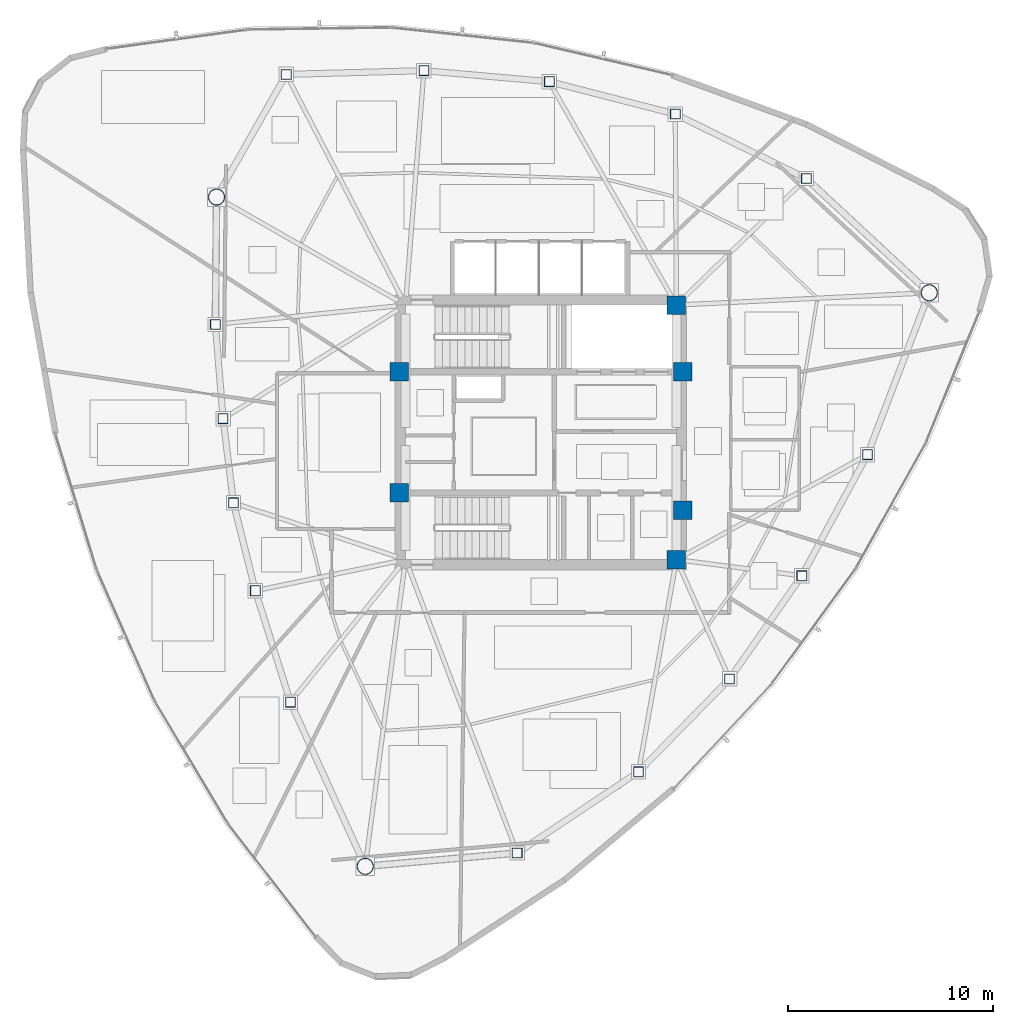
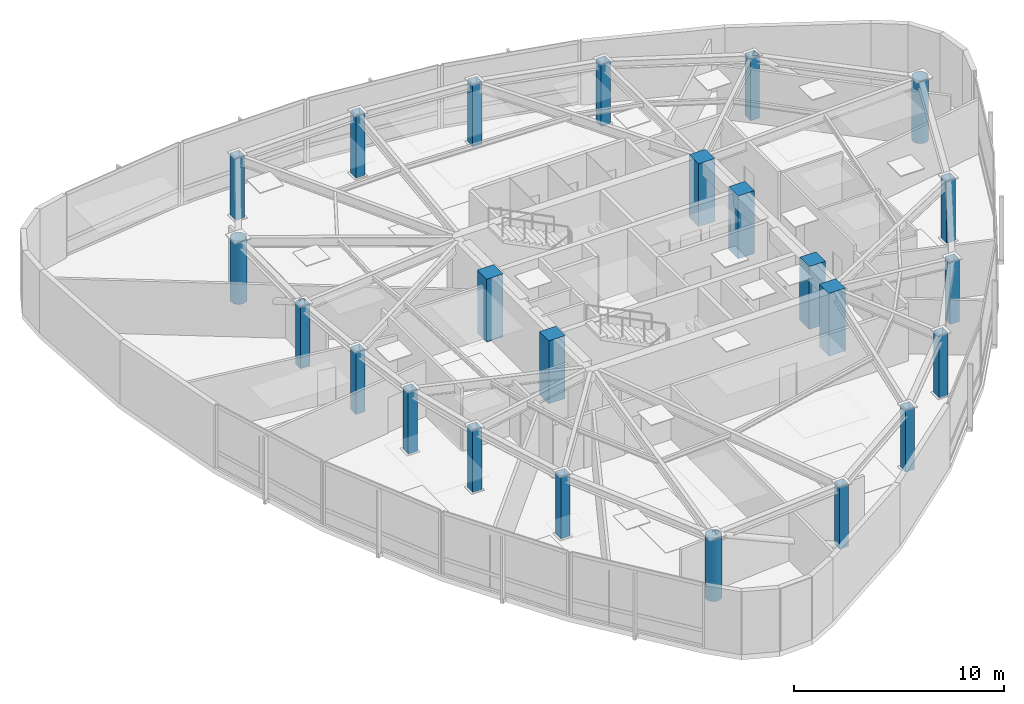
# One storey, part 1 of 14: 24 columns.
"""IFC4 building model written with IfcOpenShell, lengths in metres."""

from ifc_helpers import new_model, si_unit, direction, frame, origin, origin_2d, place, context, subcontext, project, spatial, rectangle, hollow_rectangle, hollow_circle, extrude, material, material_profile, profile_set, type_object, element, save


model = new_model("IFC4")

# Units and contexts
model_context = context("Model", 3, precision=1e-05, world=origin(), true_north=direction((0.0, 1.0)))
body_context = subcontext(model_context, "Body", "Model", "MODEL_VIEW")
ifc_project = project(units=[si_unit("LENGTHUNIT", "METRE"), si_unit("AREAUNIT", "SQUARE_METRE"), si_unit("VOLUMEUNIT", "CUBIC_METRE"), si_unit("PLANEANGLEUNIT", "RADIAN"), si_unit("MASSUNIT", "GRAM", prefix="KILO")], contexts=[model_context])

# Site, building, storey
site_placement = place(None, origin())
site = spatial("IfcSite", under=ifc_project, at=site_placement, CompositionType="ELEMENT")
building_placement = place(site_placement, origin())
building = spatial("IfcBuilding", under=site, at=building_placement, Name="Tavelor Broadcast Tower", CompositionType="ELEMENT")
storey_placement = place(building_placement, frame((0.0, 0.0, 253.75)))
storey = spatial("IfcBuildingStorey", under=building, at=storey_placement, Name="L60", CompositionType="ELEMENT", Elevation=253.75)

# Columns
ifc_material_1 = material(Name="Concrete C50/60", Category="concrete")
ifc_material_profile_1 = material_profile(ifc_material_1, rectangle(XDim=0.89990234375, YDim=0.89990234375, at=origin_2d()), Name="RC 900x900")
ifc_profile_set_1 = profile_set([ifc_material_profile_1], Name="Concrete C50/60")
column_type_1 = type_object("IfcColumnType", Name="Core Embedded Composite Column RC900", PredefinedType="COLUMN", material=ifc_profile_set_1)
for number, where, z_axis, x_axis, name in (
    (1, (43.10009765625, 47.949951171875, 0.0), (0.0, 0.0, 1.0), (1.0, 0.0, 0.0), "L60 Core Embedded Column 1"),
    (2, (56.89990234375, 47.949951171875, 0.0), (0.0, 0.0, 1.0), (1.0, 0.0, 0.0), "L60 Core Embedded Column 2"),
    (3, (56.60009765625, 51.199951171875, 0.0), (0.0, 0.0, 1.0), (1.0, 0.0, 0.0), "L60 Core Embedded Column 3"),
    (4, (43.10009765625, 42.050048828125, 0.0), (0.0, 0.0, 1.0), (1.0, 0.0, 0.0), "L60 Core Embedded Column 4"),
    (5, (56.89990234375, 41.199951171875, 0.0), (0.0, 0.0, 1.0), (1.0, 0.0, 0.0), "L60 Core Embedded Column 5"),
    (6, (56.60009765625, 38.800048828125, 0.0), (0.0, 0.0, 1.0), (1.0, 0.0, 0.0), "L60 Core Embedded Column 6"),
):
    element("IfcColumn", number, at=place(storey_placement, frame(where, z_axis=z_axis, x_axis=x_axis)), inside=storey, type_object=column_type_1, Name=name, PredefinedType="COLUMN", context=body_context, shape_type="SweptSolid", body=[
        extrude(rectangle(XDim=0.89990234375, YDim=0.89990234375, at=origin_2d()), origin(), (0.0, 0.0, 1.0), 3.64990234375),
    ])
ifc_material_2 = material(Name="Steel S460", Category="steel")
ifc_material_profile_2 = material_profile(ifc_material_2, hollow_rectangle(XDim=0.5, YDim=0.5, WallThickness=0.030029296875, at=origin_2d()), Name="SHS 500x500x30")
ifc_profile_set_2 = profile_set([ifc_material_profile_2], Name="Steel S460")
column_type_2 = type_object("IfcColumnType", Name="Perimeter Tube Column T6 SHS 500x500x30", PredefinedType="COLUMN", material=ifc_profile_set_2)
for number, where, z_axis, x_axis, name in (
    (7, (34.13720703125, 50.255859375, 0.0), (0.0, 0.0, 1.0), (1.0, 0.0, 0.0), "L60 Perimeter Framed-Tube Column 02"),
    (8, (34.513671875, 45.66455078125, 0.0), (0.0, 0.0, 1.0), (1.0, 0.0, 0.0), "L60 Perimeter Framed-Tube Column 03"),
    (9, (35.018798828125, 41.56396484375, 0.0), (0.0, 0.0, 1.0), (1.0, 0.0, 0.0), "L60 Perimeter Framed-Tube Column 04"),
    (10, (36.08349609375, 37.2822265625, 0.0), (0.0, 0.0, 1.0), (1.0, 0.0, 0.0), "L60 Perimeter Framed-Tube Column 05"),
    (11, (37.797119140625, 31.853271484375, 0.0), (0.0, 0.0, 1.0), (1.0, 0.0, 0.0), "L60 Perimeter Framed-Tube Column 06"),
    (12, (48.843994140625, 24.5048828125, 0.0), (0.0, 0.0, 1.0), (1.0, 0.0, 0.0), "L60 Perimeter Framed-Tube Column 08"),
    (13, (54.754150390625, 28.461669921875, 0.0), (0.0, 0.0, 1.0), (1.0, 0.0, 0.0), "L60 Perimeter Framed-Tube Column 09"),
    (14, (59.1923828125, 32.987060546875, 0.0), (0.0, 0.0, 1.0), (1.0, 0.0, 0.0), "L60 Perimeter Framed-Tube Column 10"),
    (15, (62.7109375, 38.009033203125, 0.0), (0.0, 0.0, 1.0), (1.0, 0.0, 0.0), "L60 Perimeter Framed-Tube Column 11"),
    (16, (65.9072265625, 43.909423828125, 0.0), (0.0, 0.0, 1.0), (1.0, 0.0, 0.0), "L60 Perimeter Framed-Tube Column 12"),
    (17, (62.92724609375, 57.364013671875, 0.0), (0.0, 0.0, 1.0), (1.0, 0.0, 0.0), "L60 Perimeter Framed-Tube Column 14"),
    (18, (56.545654296875, 60.504150390625, 0.0), (0.0, 0.0, 1.0), (1.0, 0.0, 0.0), "L60 Perimeter Framed-Tube Column 15"),
    (19, (50.4072265625, 62.0849609375, 0.0), (0.0, 0.0, 1.0), (1.0, 0.0, 0.0), "L60 Perimeter Framed-Tube Column 16"),
    (20, (44.298828125, 62.621337890625, 0.0), (0.0, 0.0, 1.0), (1.0, 0.0, 0.0), "L60 Perimeter Framed-Tube Column 17"),
    (21, (37.5908203125, 62.439208984375, 0.0), (0.0, 0.0, 1.0), (1.0, 0.0, 0.0), "L60 Perimeter Framed-Tube Column 18"),
):
    element("IfcColumn", number, at=place(storey_placement, frame(where, z_axis=z_axis, x_axis=x_axis)), inside=storey, type_object=column_type_2, Name=name, PredefinedType="COLUMN", context=body_context, shape_type="SweptSolid", body=[
        extrude(hollow_rectangle(XDim=0.5, YDim=0.5, WallThickness=0.030029296875, at=origin_2d()), origin(), (0.0, 0.0, 1.0), 3.64990234375),
    ])
ifc_material_profile_3 = material_profile(ifc_material_2, hollow_circle(Radius=0.406494140625, WallThickness=0.035888671875, at=origin_2d()), Name="CHS 813x36")
ifc_profile_set_3 = profile_set([ifc_material_profile_3], Name="Steel S460")
column_type_3 = type_object("IfcColumnType", Name="Tower Mega Column T6 CHS 813x36", PredefinedType="COLUMN", material=ifc_profile_set_3)
for number, where, z_axis, x_axis, name in (
    (22, (34.1962890625, 56.4599609375, 0.0), (0.0, 0.0, 1.0), (1.0, 0.0, 0.0), "L60 Tower Corner Mega Column 01"),
    (23, (41.440185546875, 23.853759765625, 0.0), (0.0, 0.0, 1.0), (1.0, 0.0, 0.0), "L60 Tower Corner Mega Column 07"),
    (24, (68.919677734375, 51.799072265625, 0.0), (0.0, 0.0, 1.0), (1.0, 0.0, 0.0), "L60 Tower Corner Mega Column 13"),
):
    element("IfcColumn", number, at=place(storey_placement, frame(where, z_axis=z_axis, x_axis=x_axis)), inside=storey, type_object=column_type_3, Name=name, PredefinedType="COLUMN", context=body_context, shape_type="SweptSolid", body=[
        extrude(hollow_circle(Radius=0.406494140625, WallThickness=0.035888671875, at=origin_2d()), origin(), (0.0, 0.0, 1.0), 3.64990234375),
    ])

save(model, "model.ifc")
